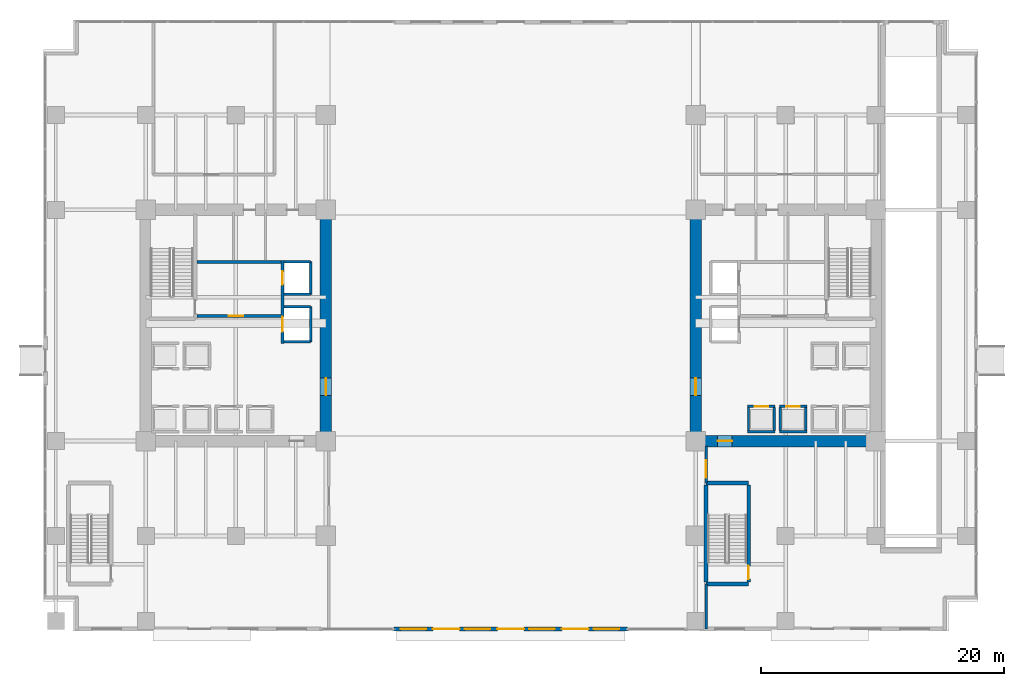
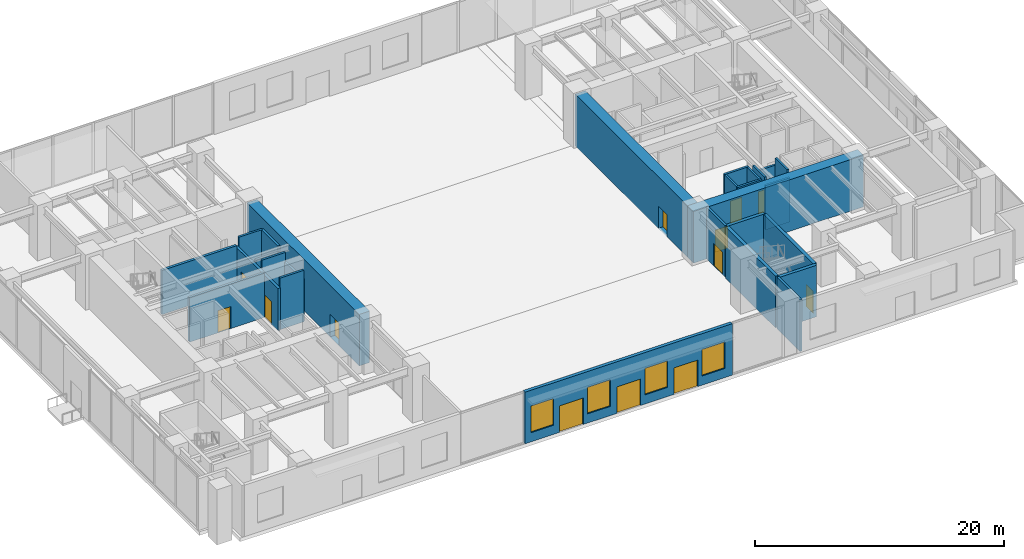
# One storey, part 20 of 28: 27 walls, 13 doors, 4 windows, 17 openings.
"""IFC4 building model written with IfcOpenShell, lengths in metres."""

from ifc_helpers import new_model, si_unit, direction, frame, frame_2d, origin, place, context, subcontext, project, spatial, rectangle, extrude, source, transform, mapped, material, layer, layer_set, type_object, type_shapes, element, fill, save


model = new_model("IFC4")

# Units and contexts
model_context = context("Model", 3, precision=1e-05, world=origin(), true_north=direction((0.0, 1.0)))
body_context = subcontext(model_context, "Body", "Model", "MODEL_VIEW")
ifc_project = project(units=[si_unit("LENGTHUNIT", "METRE"), si_unit("AREAUNIT", "SQUARE_METRE"), si_unit("VOLUMEUNIT", "CUBIC_METRE"), si_unit("PLANEANGLEUNIT", "RADIAN"), si_unit("MASSUNIT", "GRAM", prefix="KILO")], contexts=[model_context])

# Site, building, storey
site_placement = place(None, origin())
site = spatial("IfcSite", under=ifc_project, at=site_placement, CompositionType="ELEMENT")
building_placement = place(site_placement, origin())
building = spatial("IfcBuilding", under=site, at=building_placement, Name="Haelvirn Gate Laboratories", CompositionType="ELEMENT")
storey_placement = place(building_placement, origin())
storey = spatial("IfcBuildingStorey", under=building, at=storey_placement, Name="L01", CompositionType="ELEMENT", Elevation=0.0)

# Wall, openings, doors, windows
ifc_material_1 = material(Name="Concrete C40/50", Category="concrete")
ifc_layer_1 = layer(ifc_material_1, 0.300048828125, Name="EW-CONC-300")
ifc_layer_set_1 = layer_set([ifc_layer_1], Name="Concrete C40/50")
wall_type_1 = type_object("IfcWallType", Name="EW-CONC-300", PredefinedType="STANDARD", material=ifc_layer_set_1)
wall_1_placement = place(storey_placement, frame((27.800048828125, -0.64990234375, 0.0), z_axis=(0.0, 0.0, 1.0), x_axis=(1.0, 0.0, 0.0)))
wall_1 = element("IfcWall", 1, at=wall_1_placement, inside=storey, type_object=wall_type_1, Name="L01 South Concourse Entrance Wall", PredefinedType="STANDARD", context=body_context, shape_type="SweptSolid", body=[
    extrude(rectangle(XDim=19.199951171875, YDim=0.300048828125, at=frame_2d((9.60009765625, 0.0))), origin(), (0.0, 0.0, 1.0), 5.050048828125),
])
opening_1_placement = place(wall_1_placement, frame((3.199951171875, 0.0, 0.0)))
opening_1 = element("IfcOpeningElement", 2, at=opening_1_placement, cuts=wall_1, Name="Opening ED1", PredefinedType="OPENING", context=body_context, shape_type="SweptSolid", body=[
    extrude(rectangle(XDim=2.199951171875, YDim=2.60009765625, at=frame_2d((1.10009765625, 1.300048828125))), frame((0.0, 0.16015625, 0.0), z_axis=(0.0, -1.0, 0.0), x_axis=(1.0, 0.0, 0.0)), (0.0, 0.0, 1.0), 0.320068359375),
])
opening_2_placement = place(wall_1_placement, frame((8.5, 0.0, 0.0)))
opening_2 = element("IfcOpeningElement", 3, at=opening_2_placement, cuts=wall_1, Name="Opening ED1", PredefinedType="OPENING", context=body_context, shape_type="SweptSolid", body=[
    extrude(rectangle(XDim=2.199951171875, YDim=2.60009765625, at=frame_2d((1.10009765625, 1.300048828125))), frame((0.0, 0.16015625, 0.0), z_axis=(0.0, -1.0, 0.0), x_axis=(1.0, 0.0, 0.0)), (0.0, 0.0, 1.0), 0.320068359375),
])
opening_3_placement = place(wall_1_placement, frame((13.800048828125, 0.0, 0.0)))
opening_3 = element("IfcOpeningElement", 4, at=opening_3_placement, cuts=wall_1, Name="Opening ED1", PredefinedType="OPENING", context=body_context, shape_type="SweptSolid", body=[
    extrude(rectangle(XDim=2.199951171875, YDim=2.60009765625, at=frame_2d((1.10009765625, 1.300048828125))), frame((0.0, 0.16015625, 0.0), z_axis=(0.0, -1.0, 0.0), x_axis=(1.0, 0.0, 0.0)), (0.0, 0.0, 1.0), 0.320068359375),
])
opening_4_placement = place(wall_1_placement, frame((0.550048828125, 0.0, 0.89990234375)))
opening_4 = element("IfcOpeningElement", 5, at=opening_4_placement, cuts=wall_1, Name="Opening W2", PredefinedType="OPENING", context=body_context, shape_type="SweptSolid", body=[
    extrude(rectangle(XDim=2.10009765625, YDim=2.60009765625, at=frame_2d((1.050048828125, 1.300048828125))), frame((0.0, 0.16015625, 0.0), z_axis=(0.0, -1.0, 0.0), x_axis=(1.0, 0.0, 0.0)), (0.0, 0.0, 1.0), 0.320068359375),
])
opening_5_placement = place(wall_1_placement, frame((5.800048828125, 0.0, 0.89990234375)))
opening_5 = element("IfcOpeningElement", 6, at=opening_5_placement, cuts=wall_1, Name="Opening W2", PredefinedType="OPENING", context=body_context, shape_type="SweptSolid", body=[
    extrude(rectangle(XDim=2.10009765625, YDim=2.60009765625, at=frame_2d((1.050048828125, 1.300048828125))), frame((0.0, 0.16015625, 0.0), z_axis=(0.0, -1.0, 0.0), x_axis=(1.0, 0.0, 0.0)), (0.0, 0.0, 1.0), 0.320068359375),
])
opening_6_placement = place(wall_1_placement, frame((11.10009765625, 0.0, 0.89990234375)))
opening_6 = element("IfcOpeningElement", 7, at=opening_6_placement, cuts=wall_1, Name="Opening W2", PredefinedType="OPENING", context=body_context, shape_type="SweptSolid", body=[
    extrude(rectangle(XDim=2.10009765625, YDim=2.60009765625, at=frame_2d((1.050048828125, 1.300048828125))), frame((0.0, 0.16015625, 0.0), z_axis=(0.0, -1.0, 0.0), x_axis=(1.0, 0.0, 0.0)), (0.0, 0.0, 1.0), 0.320068359375),
])
opening_7_placement = place(wall_1_placement, frame((16.39990234375, 0.0, 0.89990234375)))
opening_7 = element("IfcOpeningElement", 8, at=opening_7_placement, cuts=wall_1, Name="Opening W2", PredefinedType="OPENING", context=body_context, shape_type="SweptSolid", body=[
    extrude(rectangle(XDim=2.10009765625, YDim=2.60009765625, at=frame_2d((1.050048828125, 1.300048828125))), frame((0.0, 0.16015625, 0.0), z_axis=(0.0, -1.0, 0.0), x_axis=(1.0, 0.0, 0.0)), (0.0, 0.0, 1.0), 0.320068359375),
])
ifc_material_2 = material(Name="Thermally-broken bronze aluminium & laminated safety glass", Category="aluminium")
door_type_1 = type_object("IfcDoorType", Name="DR-EXT-2200", OperationType="NOTDEFINED", PredefinedType="DOOR", material=ifc_material_2)
shared_shape_1 = source(origin(), body_context, "Body", "SweptSolid", [
    extrude(rectangle(XDim=2.199951171875, YDim=2.60009765625, at=frame_2d((1.10009765625, 1.300048828125))), frame((0.0, 0.02490234375, 0.0), z_axis=(0.0, -1.0, 0.0), x_axis=(1.0, 0.0, 0.0)), (0.0, 0.0, 1.0), 0.050048828125),
])
type_shapes(door_type_1, [shared_shape_1])
door_1_placement = place(opening_1_placement, origin())
door_1 = element("IfcDoor", 9, at=door_1_placement, inside=storey, type_object=door_type_1, Name="L01 Concourse Main Entrance 1", OperationType="DOUBLE_DOOR_SINGLE_SWING", OverallHeight=2.60009765625, OverallWidth=2.199951171875, PredefinedType="DOOR", context=body_context, shape_type="MappedRepresentation", body=[
    mapped(shared_shape_1, transform((0.0, 0.0, 0.0), scale=1.0)),
])
fill(opening_1, door_1)
door_2_placement = place(opening_2_placement, origin())
door_2 = element("IfcDoor", 10, at=door_2_placement, inside=storey, type_object=door_type_1, Name="L01 Concourse Main Entrance 2", OperationType="DOUBLE_DOOR_SINGLE_SWING", OverallHeight=2.60009765625, OverallWidth=2.199951171875, PredefinedType="DOOR", context=body_context, shape_type="MappedRepresentation", body=[
    mapped(shared_shape_1, transform((0.0, 0.0, 0.0), scale=1.0)),
])
fill(opening_2, door_2)
door_3_placement = place(opening_3_placement, origin())
door_3 = element("IfcDoor", 11, at=door_3_placement, inside=storey, type_object=door_type_1, Name="L01 Concourse Main Entrance 3", OperationType="DOUBLE_DOOR_SINGLE_SWING", OverallHeight=2.60009765625, OverallWidth=2.199951171875, PredefinedType="DOOR", context=body_context, shape_type="MappedRepresentation", body=[
    mapped(shared_shape_1, transform((0.0, 0.0, 0.0), scale=1.0)),
])
fill(opening_3, door_3)
ifc_material_3 = material(Name="Bronze anodised aluminium & triple low-E glass", Category="aluminium")
window_type = type_object("IfcWindowType", Name="WIN-CONC-2100", PartitioningType="SINGLE_PANEL", PredefinedType="WINDOW", material=ifc_material_3)
shared_shape_2 = source(origin(), body_context, "Body", "SweptSolid", [
    extrude(rectangle(XDim=2.10009765625, YDim=2.60009765625, at=frame_2d((1.050048828125, 1.300048828125))), frame((0.0, 0.030029296875, 0.0), z_axis=(0.0, -1.0, 0.0), x_axis=(1.0, 0.0, 0.0)), (0.0, 0.0, 1.0), 0.06005859375),
])
type_shapes(window_type, [shared_shape_2])
window_1_placement = place(opening_4_placement, origin())
window_1 = element("IfcWindow", 12, at=window_1_placement, inside=storey, type_object=window_type, Name="L01 Concourse Window 1", OverallHeight=2.60009765625, OverallWidth=2.10009765625, PartitioningType="SINGLE_PANEL", PredefinedType="WINDOW", context=body_context, shape_type="MappedRepresentation", body=[
    mapped(shared_shape_2, transform((0.0, 0.0, 0.0), scale=1.0)),
])
fill(opening_4, window_1)
window_2_placement = place(opening_5_placement, origin())
window_2 = element("IfcWindow", 13, at=window_2_placement, inside=storey, type_object=window_type, Name="L01 Concourse Window 2", OverallHeight=2.60009765625, OverallWidth=2.10009765625, PartitioningType="SINGLE_PANEL", PredefinedType="WINDOW", context=body_context, shape_type="MappedRepresentation", body=[
    mapped(shared_shape_2, transform((0.0, 0.0, 0.0), scale=1.0)),
])
fill(opening_5, window_2)
window_3_placement = place(opening_6_placement, origin())
window_3 = element("IfcWindow", 14, at=window_3_placement, inside=storey, type_object=window_type, Name="L01 Concourse Window 3", OverallHeight=2.60009765625, OverallWidth=2.10009765625, PartitioningType="SINGLE_PANEL", PredefinedType="WINDOW", context=body_context, shape_type="MappedRepresentation", body=[
    mapped(shared_shape_2, transform((0.0, 0.0, 0.0), scale=1.0)),
])
fill(opening_6, window_3)
window_4_placement = place(opening_7_placement, origin())
window_4 = element("IfcWindow", 15, at=window_4_placement, inside=storey, type_object=window_type, Name="L01 Concourse Window 4", OverallHeight=2.60009765625, OverallWidth=2.10009765625, PartitioningType="SINGLE_PANEL", PredefinedType="WINDOW", context=body_context, shape_type="MappedRepresentation", body=[
    mapped(shared_shape_2, transform((0.0, 0.0, 0.0), scale=1.0)),
])
fill(opening_7, window_4)

# Walls
ifc_layer_2 = layer(ifc_material_1, 0.179931640625, Name="IW-SHAFT-180")
ifc_layer_set_2 = layer_set([ifc_layer_2], Name="Concrete C40/50")
wall_type_2 = type_object("IfcWallType", Name="IW-SHAFT-180", PredefinedType="SOLIDWALL", material=ifc_layer_set_2)
for number, where, z_axis, x_axis, name in (
    (16, (59.550048828125, 15.64990234375, 0.0), (0.0, 0.0, 1.0), (0.0, 1.0, 0.0), "L01 Interior Wall IW-L01-PL7-SD"),
    (17, (61.64990234375, 15.64990234375, 0.0), (0.0, 0.0, 1.0), (0.0, 1.0, 0.0), "L01 Interior Wall IW-L01-PL7-SDE"),
    (18, (56.949951171875, 15.64990234375, 0.0), (0.0, 0.0, 1.0), (0.0, 1.0, 0.0), "L01 Interior Wall IW-L01-PL8-SD"),
    (19, (59.050048828125, 15.64990234375, 0.0), (0.0, 0.0, 1.0), (0.0, 1.0, 0.0), "L01 Interior Wall IW-L01-PL8-SDE"),
):
    element("IfcWall", number, at=place(storey_placement, frame(where, z_axis=z_axis, x_axis=x_axis)), inside=storey, type_object=wall_type_2, Name=name, PredefinedType="SOLIDWALL", context=body_context, shape_type="SweptSolid", body=[
        extrude(rectangle(XDim=1.900146484375, YDim=0.179931640625, at=frame_2d((0.9501953125, 0.0))), origin(), (0.0, 0.0, 1.0), 5.050048828125),
    ])
ifc_layer_3 = layer(ifc_material_1, 0.199951171875, Name="IW-SHAFT-200")
ifc_layer_set_3 = layer_set([ifc_layer_3], Name="Concrete C40/50")
wall_type_3 = type_object("IfcWallType", Name="IW-SHAFT-200", PredefinedType="SOLIDWALL", material=ifc_layer_set_3)
wall_2_placement = place(storey_placement, frame((20.949951171875, 26.85009765625, 0.0), z_axis=(0.0, 0.0, 1.0), x_axis=(0.0, 1.0, 0.0)))
element("IfcWall", 20, at=wall_2_placement, inside=storey, type_object=wall_type_3, Name="L01 Interior Wall IW-L01-FL1-BK", PredefinedType="SOLIDWALL", context=body_context, shape_type="SweptSolid", body=[
    extrude(rectangle(XDim=2.699951171875, YDim=0.199951171875, at=frame_2d((1.35009765625, 0.0))), origin(), (0.0, 0.0, 1.0), 5.050048828125),
])
wall_3_placement = place(storey_placement, frame((18.760009765625, 29.550048828125, 0.0), z_axis=(0.0, 0.0, 1.0), x_axis=(1.0, 0.0, 0.0)))
element("IfcWall", 21, at=wall_3_placement, inside=storey, type_object=wall_type_3, Name="L01 Interior Wall IW-L01-FL1-N", PredefinedType="SOLIDWALL", context=body_context, shape_type="SweptSolid", body=[
    extrude(rectangle(XDim=2.18994140625, YDim=0.199951171875, at=frame_2d((1.094970703125, 0.0))), origin(), (0.0, 0.0, 1.0), 5.050048828125),
])
wall_4_placement = place(storey_placement, frame((18.760009765625, 26.85009765625, 0.0), z_axis=(0.0, 0.0, 1.0), x_axis=(1.0, 0.0, 0.0)))
element("IfcWall", 22, at=wall_4_placement, inside=storey, type_object=wall_type_3, Name="L01 Interior Wall IW-L01-FL1-S", PredefinedType="SOLIDWALL", context=body_context, shape_type="SweptSolid", body=[
    extrude(rectangle(XDim=2.18994140625, YDim=0.199951171875, at=frame_2d((1.094970703125, 0.0))), origin(), (0.0, 0.0, 1.0), 4.447021484375),
])
wall_5_placement = place(storey_placement, frame((20.949951171875, 22.949951171875, 0.0), z_axis=(0.0, 0.0, 1.0), x_axis=(0.0, 1.0, 0.0)))
element("IfcWall", 23, at=wall_5_placement, inside=storey, type_object=wall_type_3, Name="L01 Interior Wall IW-L01-SL1-BK", PredefinedType="SOLIDWALL", context=body_context, shape_type="SweptSolid", body=[
    extrude(rectangle(XDim=2.900146484375, YDim=0.199951171875, at=frame_2d((1.4501953125, 0.0))), origin(), (0.0, 0.0, 1.0), 4.135009765625),
])
for number, where, z_axis, x_axis, name in (
    (24, (18.760009765625, 25.85009765625, 0.0), (0.0, 0.0, 1.0), (1.0, 0.0, 0.0), "L01 Interior Wall IW-L01-SL1-N"),
    (25, (18.760009765625, 22.949951171875, 0.0), (0.0, 0.0, 1.0), (1.0, 0.0, 0.0), "L01 Interior Wall IW-L01-SL1-S"),
):
    element("IfcWall", number, at=place(storey_placement, frame(where, z_axis=z_axis, x_axis=x_axis)), inside=storey, type_object=wall_type_3, Name=name, PredefinedType="SOLIDWALL", context=body_context, shape_type="SweptSolid", body=[
        extrude(rectangle(XDim=2.18994140625, YDim=0.199951171875, at=frame_2d((1.094970703125, 0.0))), origin(), (0.0, 0.0, 1.0), 5.050048828125),
    ])

# Wall, opening, door
wall_6_placement = place(storey_placement, frame((59.469970703125, 17.64990234375, 0.0), z_axis=(0.0, 0.0, 1.0), x_axis=(1.0, 0.0, 0.0)))
wall_6 = element("IfcWall", 26, at=wall_6_placement, inside=storey, type_object=wall_type_3, Name="L01 Interior Wall IW-L01-PL7-FR", PredefinedType="SOLIDWALL", context=body_context, shape_type="SweptSolid", body=[
    extrude(rectangle(XDim=2.260009765625, YDim=0.199951171875, at=frame_2d((1.1298828125, 0.0))), origin(), (0.0, 0.0, 1.0), 4.3349609375),
])
opening_8_placement = place(wall_6_placement, frame((0.580078125, 0.0, 0.0)))
opening_8 = element("IfcOpeningElement", 27, at=opening_8_placement, cuts=wall_6, Name="Opening LD2", PredefinedType="OPENING", context=body_context, shape_type="SweptSolid", body=[
    extrude(rectangle(XDim=1.10009765625, YDim=2.219970703125, at=frame_2d((0.550048828125, 1.10986328125))), frame((0.0, 0.10986328125, 0.0), z_axis=(0.0, -1.0, 0.0), x_axis=(1.0, 0.0, 0.0)), (0.0, 0.0, 1.0), 0.219970703125),
])
ifc_material_4 = material(Name="Bronze stainless 316L sliding lift landing door")
door_type_2 = type_object("IfcDoorType", Name="DR-LD-1100", OperationType="NOTDEFINED", PredefinedType="USERDEFINED", material=ifc_material_4)
shared_shape_3 = source(origin(), body_context, "Body", "SweptSolid", [
    extrude(rectangle(XDim=1.10009765625, YDim=2.219970703125, at=frame_2d((0.550048828125, 1.10986328125))), frame((0.0, 0.02490234375, 0.0), z_axis=(0.0, -1.0, 0.0), x_axis=(1.0, 0.0, 0.0)), (0.0, 0.0, 1.0), 0.050048828125),
])
type_shapes(door_type_2, [shared_shape_3])
door_4_placement = place(opening_8_placement, origin())
door_4 = element("IfcDoor", 28, at=door_4_placement, inside=storey, type_object=door_type_2, Name="L01 Passenger Lift PL7 Landing Door", ObjectType="LANDING_DOOR", OperationType="SLIDING_TO_LEFT", OverallHeight=2.219970703125, OverallWidth=1.10009765625, PredefinedType="USERDEFINED", context=body_context, shape_type="MappedRepresentation", body=[
    mapped(shared_shape_3, transform((0.0, 0.0, 0.0), scale=1.0)),
])
fill(opening_8, door_4)

# Wall
wall_7_placement = place(storey_placement, frame((59.469970703125, 15.550048828125, 0.0), z_axis=(0.0, 0.0, 1.0), x_axis=(1.0, 0.0, 0.0)))
element("IfcWall", 29, at=wall_7_placement, inside=storey, type_object=wall_type_3, Name="L01 Interior Wall IW-L01-PL7-BK", PredefinedType="SOLIDWALL", context=body_context, shape_type="SweptSolid", body=[
    extrude(rectangle(XDim=2.260009765625, YDim=0.199951171875, at=frame_2d((1.1298828125, 0.0))), origin(), (0.0, 0.0, 1.0), 4.3349609375),
])

# Wall, opening, door
wall_8_placement = place(storey_placement, frame((56.8701171875, 17.64990234375, 0.0), z_axis=(0.0, 0.0, 1.0), x_axis=(1.0, 0.0, 0.0)))
wall_8 = element("IfcWall", 30, at=wall_8_placement, inside=storey, type_object=wall_type_3, Name="L01 Interior Wall IW-L01-PL8-FR", PredefinedType="SOLIDWALL", context=body_context, shape_type="SweptSolid", body=[
    extrude(rectangle(XDim=2.259765625, YDim=0.199951171875, at=frame_2d((1.1298828125, 0.0))), origin(), (0.0, 0.0, 1.0), 5.050048828125),
])
opening_9_placement = place(wall_8_placement, frame((0.580078125, 0.0, 0.0)))
opening_9 = element("IfcOpeningElement", 31, at=opening_9_placement, cuts=wall_8, Name="Opening LD2", PredefinedType="OPENING", context=body_context, shape_type="SweptSolid", body=[
    extrude(rectangle(XDim=1.10009765625, YDim=2.219970703125, at=frame_2d((0.550048828125, 1.10986328125))), frame((0.0, 0.10986328125, 0.0), z_axis=(0.0, -1.0, 0.0), x_axis=(1.0, 0.0, 0.0)), (0.0, 0.0, 1.0), 0.219970703125),
])
door_5_placement = place(opening_9_placement, origin())
door_5 = element("IfcDoor", 32, at=door_5_placement, inside=storey, type_object=door_type_2, Name="L01 Passenger Lift PL8 Landing Door", ObjectType="LANDING_DOOR", OperationType="SLIDING_TO_RIGHT", OverallHeight=2.219970703125, OverallWidth=1.10009765625, PredefinedType="USERDEFINED", context=body_context, shape_type="MappedRepresentation", body=[
    mapped(shared_shape_3, transform((0.0, 0.0, 0.0), scale=1.0)),
])
fill(opening_9, door_5)

# Walls
wall_9_placement = place(storey_placement, frame((56.8701171875, 15.550048828125, 0.0), z_axis=(0.0, 0.0, 1.0), x_axis=(1.0, 0.0, 0.0)))
element("IfcWall", 33, at=wall_9_placement, inside=storey, type_object=wall_type_3, Name="L01 Interior Wall IW-L01-PL8-BK", PredefinedType="SOLIDWALL", context=body_context, shape_type="SweptSolid", body=[
    extrude(rectangle(XDim=2.259765625, YDim=0.199951171875, at=frame_2d((1.1298828125, 0.0))), origin(), (0.0, 0.0, 1.0), 5.050048828125),
])
wall_10_placement = place(storey_placement, frame((53.449951171875, -0.64990234375, 0.0), z_axis=(0.0, 0.0, 1.0), x_axis=(0.0, 1.0, 0.0)))
element("IfcWall", 34, at=wall_10_placement, inside=storey, type_object=wall_type_3, Name="L01 Interior Wall IW-L01-EXE-SEP-S", PredefinedType="SOLIDWALL", context=body_context, shape_type="SweptSolid", body=[
    extrude(rectangle(XDim=3.699951171875, YDim=0.199951171875, at=frame_2d((1.85009765625, 0.0))), origin(), (0.0, 0.0, 1.0), 5.050048828125),
])

# Wall, opening, door
wall_11_placement = place(storey_placement, frame((53.449951171875, 11.35009765625, 0.0), z_axis=(0.0, 0.0, 1.0), x_axis=(0.0, 1.0, 0.0)))
wall_11 = element("IfcWall", 35, at=wall_11_placement, inside=storey, type_object=wall_type_3, Name="L01 Interior Wall IW-L01-EXE-SEP", PredefinedType="SOLIDWALL", context=body_context, shape_type="SweptSolid", body=[
    extrude(rectangle(XDim=3.0498046875, YDim=0.199951171875, at=frame_2d((1.52490234375, 0.0))), origin(), (0.0, 0.0, 1.0), 5.050048828125),
])
opening_10_placement = place(wall_11_placement, frame((0.449951171875, 0.0, 0.0)))
opening_10 = element("IfcOpeningElement", 36, at=opening_10_placement, cuts=wall_11, Name="Opening FD1", PredefinedType="OPENING", context=body_context, shape_type="SweptSolid", body=[
    extrude(rectangle(XDim=1.419921875, YDim=2.199951171875, at=frame_2d((0.7099609375, 1.10009765625))), frame((0.0, 0.10986328125, 0.0), z_axis=(0.0, -1.0, 0.0), x_axis=(1.0, 0.0, 0.0)), (0.0, 0.0, 1.0), 0.219970703125),
])
ifc_material_5 = material(Name="Fire-rated double steel SM355 lobby door", Category="steel")
door_type_3 = type_object("IfcDoorType", Name="DR-FD-1400", OperationType="NOTDEFINED", PredefinedType="DOOR", material=ifc_material_5)
shared_shape_4 = source(origin(), body_context, "Body", "SweptSolid", [
    extrude(rectangle(XDim=1.419921875, YDim=2.199951171875, at=frame_2d((0.7099609375, 1.10009765625))), frame((0.0, 0.02490234375, 0.0), z_axis=(0.0, -1.0, 0.0), x_axis=(1.0, 0.0, 0.0)), (0.0, 0.0, 1.0), 0.050048828125),
])
type_shapes(door_type_3, [shared_shape_4])
door_6_placement = place(opening_10_placement, origin())
door_6 = element("IfcDoor", 37, at=door_6_placement, inside=storey, type_object=door_type_3, Name="L01 East Protected Exit Passage Fire Door", OperationType="DOUBLE_DOOR_SINGLE_SWING", OverallHeight=2.199951171875, OverallWidth=1.419921875, PredefinedType="DOOR", context=body_context, shape_type="MappedRepresentation", body=[
    mapped(shared_shape_4, transform((0.0, 0.0, 0.0), scale=1.0)),
])
fill(opening_10, door_6)

ifc_layer_4 = layer(ifc_material_1, 0.239990234375, Name="IW-SHAFT-240")
ifc_layer_set_4 = layer_set([ifc_layer_4], Name="Concrete C40/50")
wall_type_4 = type_object("IfcWallType", Name="IW-SHAFT-240", PredefinedType="SOLIDWALL", material=ifc_layer_set_4)
wall_12_placement = place(storey_placement, frame((11.60009765625, 25.080078125, 0.0), z_axis=(0.0, 0.0, 1.0), x_axis=(1.0, 0.0, 0.0)))
wall_12 = element("IfcWall", 38, at=wall_12_placement, inside=storey, type_object=wall_type_4, Name="L01 Interior Wall IW-L01-W-FF-S", PredefinedType="SOLIDWALL", context=body_context, shape_type="SweptSolid", body=[
    extrude(rectangle(XDim=6.919921875, YDim=0.239990234375, at=frame_2d((3.4599609375, 0.0))), origin(), (0.0, 0.0, 1.0), 4.3349609375),
])
opening_11_placement = place(wall_12_placement, frame((2.60009765625, 0.0, 0.0)))
opening_11 = element("IfcOpeningElement", 39, at=opening_11_placement, cuts=wall_12, Name="Opening FD2", PredefinedType="OPENING", context=body_context, shape_type="SweptSolid", body=[
    extrude(rectangle(XDim=1.199951171875, YDim=2.159912109375, at=frame_2d((0.60009765625, 1.080078125))), frame((0.0, 0.1298828125, 0.0), z_axis=(0.0, -1.0, 0.0), x_axis=(1.0, 0.0, 0.0)), (0.0, 0.0, 1.0), 0.260009765625),
])
ifc_material_6 = material(Name="Fire-rated steel SM355 compartment door", Category="steel")
door_type_4 = type_object("IfcDoorType", Name="DR-FD-1200", OperationType="NOTDEFINED", PredefinedType="DOOR", material=ifc_material_6)
shared_shape_5 = source(origin(), body_context, "Body", "SweptSolid", [
    extrude(rectangle(XDim=1.199951171875, YDim=2.159912109375, at=frame_2d((0.60009765625, 1.080078125))), frame((0.0, 0.02490234375, 0.0), z_axis=(0.0, -1.0, 0.0), x_axis=(1.0, 0.0, 0.0)), (0.0, 0.0, 1.0), 0.050048828125),
])
type_shapes(door_type_4, [shared_shape_5])
door_7_placement = place(opening_11_placement, origin())
door_7 = element("IfcDoor", 40, at=door_7_placement, inside=storey, type_object=door_type_4, Name="L01 West Firefighting Lobby Door", OperationType="SINGLE_SWING_RIGHT", OverallHeight=2.159912109375, OverallWidth=1.199951171875, PredefinedType="DOOR", context=body_context, shape_type="MappedRepresentation", body=[
    mapped(shared_shape_5, transform((0.0, 0.0, 0.0), scale=1.0)),
])
fill(opening_11, door_7)

# Wall
wall_13_placement = place(storey_placement, frame((11.60009765625, 29.52001953125, 0.0), z_axis=(0.0, 0.0, 1.0), x_axis=(1.0, 0.0, 0.0)))
element("IfcWall", 41, at=wall_13_placement, inside=storey, type_object=wall_type_4, Name="L01 Interior Wall IW-L01-W-FF-N", PredefinedType="SOLIDWALL", context=body_context, shape_type="SweptSolid", body=[
    extrude(rectangle(XDim=6.919921875, YDim=0.239990234375, at=frame_2d((3.4599609375, 0.0))), origin(), (0.0, 0.0, 1.0), 4.3349609375),
])

# Wall, openings, doors
wall_14_placement = place(storey_placement, frame((18.639892578125, 22.800048828125, 0.0), z_axis=(0.0, 0.0, 1.0), x_axis=(0.0, 1.0, 0.0)))
wall_14 = element("IfcWall", 42, at=wall_14_placement, inside=storey, type_object=wall_type_4, Name="L01 Interior Wall IW-L01-W-FF-E", PredefinedType="SOLIDWALL", context=body_context, shape_type="SweptSolid", body=[
    extrude(rectangle(XDim=6.849853515625, YDim=0.239990234375, at=frame_2d((3.4248046875, 0.0))), origin(), (0.0, 0.0, 1.0), 4.135009765625),
])
opening_12_placement = place(wall_14_placement, frame((4.85009765625, 0.0, 0.0)))
opening_12 = element("IfcOpeningElement", 43, at=opening_12_placement, cuts=wall_14, Name="Opening LD2", PredefinedType="OPENING", context=body_context, shape_type="SweptSolid", body=[
    extrude(rectangle(XDim=1.10009765625, YDim=2.219970703125, at=frame_2d((0.550048828125, 1.10986328125))), frame((0.0, 0.1298828125, 0.0), z_axis=(0.0, -1.0, 0.0), x_axis=(1.0, 0.0, 0.0)), (0.0, 0.0, 1.0), 0.260009765625),
])
opening_13_placement = place(wall_14_placement, frame((1.0, 0.0, 0.0)))
opening_13 = element("IfcOpeningElement", 44, at=opening_13_placement, cuts=wall_14, Name="Opening LD1", PredefinedType="OPENING", context=body_context, shape_type="SweptSolid", body=[
    extrude(rectangle(XDim=1.199951171875, YDim=2.219970703125, at=frame_2d((0.60009765625, 1.10986328125))), frame((0.0, 0.1298828125, 0.0), z_axis=(0.0, -1.0, 0.0), x_axis=(1.0, 0.0, 0.0)), (0.0, 0.0, 1.0), 0.260009765625),
])
door_8_placement = place(opening_12_placement, origin())
door_8 = element("IfcDoor", 45, at=door_8_placement, inside=storey, type_object=door_type_2, Name="L01 Firefighting Lift FL1 Landing Door", ObjectType="LANDING_DOOR", OperationType="SLIDING_TO_LEFT", OverallHeight=2.219970703125, OverallWidth=1.10009765625, PredefinedType="USERDEFINED", context=body_context, shape_type="MappedRepresentation", body=[
    mapped(shared_shape_3, transform((0.0, 0.0, 0.0), scale=1.0)),
])
fill(opening_12, door_8)
ifc_material_7 = material(Name="Stainless steel 316L sliding goods landing door", Category="steel")
door_type_5 = type_object("IfcDoorType", Name="DR-LD-1200", OperationType="NOTDEFINED", PredefinedType="USERDEFINED", material=ifc_material_7)
shared_shape_6 = source(origin(), body_context, "Body", "SweptSolid", [
    extrude(rectangle(XDim=1.199951171875, YDim=2.219970703125, at=frame_2d((0.60009765625, 1.10986328125))), frame((0.0, 0.02490234375, 0.0), z_axis=(0.0, -1.0, 0.0), x_axis=(1.0, 0.0, 0.0)), (0.0, 0.0, 1.0), 0.050048828125),
])
type_shapes(door_type_5, [shared_shape_6])
door_9_placement = place(opening_13_placement, origin())
door_9 = element("IfcDoor", 46, at=door_9_placement, inside=storey, type_object=door_type_5, Name="L01 Service Lift SL1 Landing Door", ObjectType="LANDING_DOOR", OperationType="SLIDING_TO_RIGHT", OverallHeight=2.219970703125, OverallWidth=1.199951171875, PredefinedType="USERDEFINED", context=body_context, shape_type="MappedRepresentation", body=[
    mapped(shared_shape_6, transform((0.0, 0.0, 0.0), scale=1.0)),
])
fill(opening_13, door_9)

# Wall, opening, door
ifc_material_8 = material(Name="Concrete C70/85", Category="concrete")
ifc_layer_5 = layer(ifc_material_8, 0.949951171875, Name="SW-CORE-950")
ifc_layer_set_5 = layer_set([ifc_layer_5], Name="Concrete C70/85")
wall_type_5 = type_object("IfcWallType", Name="SW-CORE-950", PredefinedType="SHEAR", material=ifc_layer_set_5)
wall_15_placement = place(storey_placement, frame((22.199951171875, 15.27490234375, 0.0), z_axis=(0.0, 0.0, 1.0), x_axis=(0.0, 1.0, 0.0)))
wall_15 = element("IfcWall", 47, at=wall_15_placement, inside=storey, type_object=wall_type_5, Name="L01 W Core Shear Wall E", PredefinedType="SHEAR", context=body_context, shape_type="SweptSolid", body=[
    extrude(rectangle(XDim=18.050048828125, YDim=0.949951171875, at=frame_2d((9.02490234375, 0.0))), origin(), (0.0, 0.0, 1.0), 5.050048828125),
])
opening_14_placement = place(wall_15_placement, frame((3.27490234375, 0.0, 0.0)))
opening_14 = element("IfcOpeningElement", 48, at=opening_14_placement, cuts=wall_15, Name="Opening FD1", PredefinedType="OPENING", context=body_context, shape_type="SweptSolid", body=[
    extrude(rectangle(XDim=1.419921875, YDim=2.199951171875, at=frame_2d((0.7099609375, 1.10009765625))), frame((0.0, 0.48486328125, 0.0), z_axis=(0.0, -1.0, 0.0), x_axis=(1.0, 0.0, 0.0)), (0.0, 0.0, 1.0), 0.969970703125),
])
door_10_placement = place(opening_14_placement, origin())
door_10 = element("IfcDoor", 49, at=door_10_placement, inside=storey, type_object=door_type_3, Name="L01 West Core Lift Lobby Fire Door", OperationType="DOUBLE_DOOR_SINGLE_SWING", OverallHeight=2.199951171875, OverallWidth=1.419921875, PredefinedType="DOOR", context=body_context, shape_type="MappedRepresentation", body=[
    mapped(shared_shape_4, transform((0.0, 0.0, 0.0), scale=1.0)),
])
fill(opening_14, door_10)

wall_16_placement = place(storey_placement, frame((52.125, 14.800048828125, 0.0), z_axis=(0.0, 0.0, 1.0), x_axis=(1.0, 0.0, 0.0)))
wall_16 = element("IfcWall", 50, at=wall_16_placement, inside=storey, type_object=wall_type_5, Name="L01 E Core Shear Wall S", PredefinedType="SHEAR", context=body_context, shape_type="SweptSolid", body=[
    extrude(rectangle(XDim=15.75, YDim=0.949951171875, at=frame_2d((7.875, 0.0))), origin(), (0.0, 0.0, 1.0), 5.050048828125),
])
opening_15_placement = place(wall_16_placement, frame((2.27490234375, 0.0, 0.0)))
opening_15 = element("IfcOpeningElement", 51, at=opening_15_placement, cuts=wall_16, Name="Opening FD2", PredefinedType="OPENING", context=body_context, shape_type="SweptSolid", body=[
    extrude(rectangle(XDim=1.199951171875, YDim=2.159912109375, at=frame_2d((0.60009765625, 1.080078125))), frame((0.0, 0.48486328125, 0.0), z_axis=(0.0, -1.0, 0.0), x_axis=(1.0, 0.0, 0.0)), (0.0, 0.0, 1.0), 0.969970703125),
])
door_11_placement = place(opening_15_placement, origin())
door_11 = element("IfcDoor", 52, at=door_11_placement, inside=storey, type_object=door_type_4, Name="L01 East Core Protected Exit Discharge Door", OperationType="SINGLE_SWING_RIGHT", OverallHeight=2.159912109375, OverallWidth=1.199951171875, PredefinedType="DOOR", context=body_context, shape_type="MappedRepresentation", body=[
    mapped(shared_shape_5, transform((0.0, 0.0, 0.0), scale=1.0)),
])
fill(opening_15, door_11)

wall_17_placement = place(storey_placement, frame((52.60009765625, 15.27490234375, 0.0), z_axis=(0.0, 0.0, 1.0), x_axis=(0.0, 1.0, 0.0)))
wall_17 = element("IfcWall", 53, at=wall_17_placement, inside=storey, type_object=wall_type_5, Name="L01 E Core Shear Wall W", PredefinedType="SHEAR", context=body_context, shape_type="SweptSolid", body=[
    extrude(rectangle(XDim=18.050048828125, YDim=0.949951171875, at=frame_2d((9.02490234375, 0.0))), origin(), (0.0, 0.0, 1.0), 5.050048828125),
])
opening_16_placement = place(wall_17_placement, frame((3.27490234375, 0.0, 0.0)))
opening_16 = element("IfcOpeningElement", 54, at=opening_16_placement, cuts=wall_17, Name="Opening FD1", PredefinedType="OPENING", context=body_context, shape_type="SweptSolid", body=[
    extrude(rectangle(XDim=1.419921875, YDim=2.199951171875, at=frame_2d((0.7099609375, 1.10009765625))), frame((0.0, 0.48486328125, 0.0), z_axis=(0.0, -1.0, 0.0), x_axis=(1.0, 0.0, 0.0)), (0.0, 0.0, 1.0), 0.969970703125),
])
door_12_placement = place(opening_16_placement, origin())
door_12 = element("IfcDoor", 55, at=door_12_placement, inside=storey, type_object=door_type_3, Name="L01 East Core Lift Lobby Fire Door", OperationType="DOUBLE_DOOR_SINGLE_SWING", OverallHeight=2.199951171875, OverallWidth=1.419921875, PredefinedType="DOOR", context=body_context, shape_type="MappedRepresentation", body=[
    mapped(shared_shape_4, transform((0.0, 0.0, 0.0), scale=1.0)),
])
fill(opening_16, door_12)

# Walls
ifc_material_9 = material(Name="Concrete C50/60", Category="concrete")
ifc_layer_6 = layer(ifc_material_9, 0.300048828125, Name="SW-STAIR-300")
ifc_layer_set_6 = layer_set([ifc_layer_6], Name="Concrete C50/60")
wall_type_6 = type_object("IfcWallType", Name="SW-STAIR-300", PredefinedType="SHEAR", material=ifc_layer_set_6)
for number, where, z_axis, x_axis, name in (
    (56, (53.449951171875, 3.050048828125, 0.0), (0.0, 0.0, 1.0), (1.0, 0.0, 0.0), "L01 Podium Stair ST4 Structural Wall S"),
    (57, (53.449951171875, 11.35009765625, 0.0), (0.0, 0.0, 1.0), (1.0, 0.0, 0.0), "L01 Podium Stair ST4 Structural Wall N"),
):
    element("IfcWall", number, at=place(storey_placement, frame(where, z_axis=z_axis, x_axis=x_axis)), inside=storey, type_object=wall_type_6, Name=name, PredefinedType="SHEAR", context=body_context, shape_type="SweptSolid", body=[
        extrude(rectangle(XDim=3.5, YDim=0.300048828125, at=frame_2d((1.75, 0.0))), origin(), (0.0, 0.0, 1.0), 5.050048828125),
    ])
wall_18_placement = place(storey_placement, frame((53.449951171875, 3.199951171875, 0.0), z_axis=(0.0, 0.0, 1.0), x_axis=(0.0, 1.0, 0.0)))
element("IfcWall", 58, at=wall_18_placement, inside=storey, type_object=wall_type_6, Name="L01 Podium Stair ST4 Structural Wall W", PredefinedType="SHEAR", context=body_context, shape_type="SweptSolid", body=[
    extrude(rectangle(XDim=8.0, YDim=0.300048828125, at=frame_2d((4.0, 0.0))), origin(), (0.0, 0.0, 1.0), 5.050048828125),
])

# Wall, opening, door
wall_19_placement = place(storey_placement, frame((56.949951171875, 3.199951171875, 0.0), z_axis=(0.0, 0.0, 1.0), x_axis=(0.0, 1.0, 0.0)))
wall_19 = element("IfcWall", 59, at=wall_19_placement, inside=storey, type_object=wall_type_6, Name="L01 Podium Stair ST4 Structural Wall E", PredefinedType="SHEAR", context=body_context, shape_type="SweptSolid", body=[
    extrude(rectangle(XDim=8.0, YDim=0.300048828125, at=frame_2d((4.0, 0.0))), origin(), (0.0, 0.0, 1.0), 5.050048828125),
])
opening_17_placement = place(wall_19_placement, frame((0.25, 0.0, 0.0)))
opening_17 = element("IfcOpeningElement", 60, at=opening_17_placement, cuts=wall_19, Name="Opening FD3", PredefinedType="OPENING", context=body_context, shape_type="SweptSolid", body=[
    extrude(rectangle(XDim=1.10009765625, YDim=2.14990234375, at=frame_2d((0.550048828125, 1.074951171875))), frame((0.0, 0.16015625, 0.0), z_axis=(0.0, -1.0, 0.0), x_axis=(1.0, 0.0, 0.0)), (0.0, 0.0, 1.0), 0.320068359375),
])
ifc_material_10 = material(Name="Fire-rated steel SM355 escape stair door", Category="steel")
door_type_6 = type_object("IfcDoorType", Name="DR-FD-1100", OperationType="NOTDEFINED", PredefinedType="DOOR", material=ifc_material_10)
shared_shape_7 = source(origin(), body_context, "Body", "SweptSolid", [
    extrude(rectangle(XDim=1.10009765625, YDim=2.14990234375, at=frame_2d((0.550048828125, 1.074951171875))), frame((0.0, 0.02490234375, 0.0), z_axis=(0.0, -1.0, 0.0), x_axis=(1.0, 0.0, 0.0)), (0.0, 0.0, 1.0), 0.050048828125),
])
type_shapes(door_type_6, [shared_shape_7])
door_13_placement = place(opening_17_placement, origin())
door_13 = element("IfcDoor", 61, at=door_13_placement, inside=storey, type_object=door_type_6, Name="L01 Escape Stair ST4 Fire Door", OperationType="SINGLE_SWING_RIGHT", OverallHeight=2.14990234375, OverallWidth=1.10009765625, PredefinedType="DOOR", context=body_context, shape_type="MappedRepresentation", body=[
    mapped(shared_shape_7, transform((0.0, 0.0, 0.0), scale=1.0)),
])
fill(opening_17, door_13)

save(model, "model.ifc")
